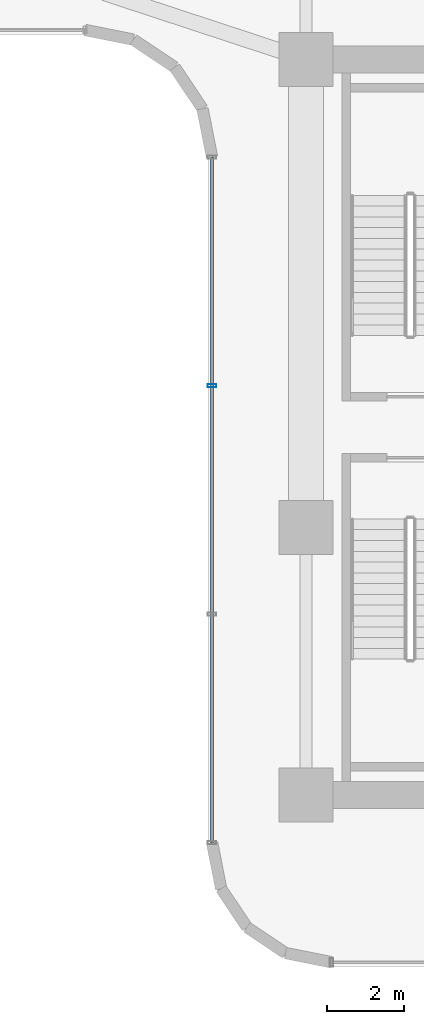
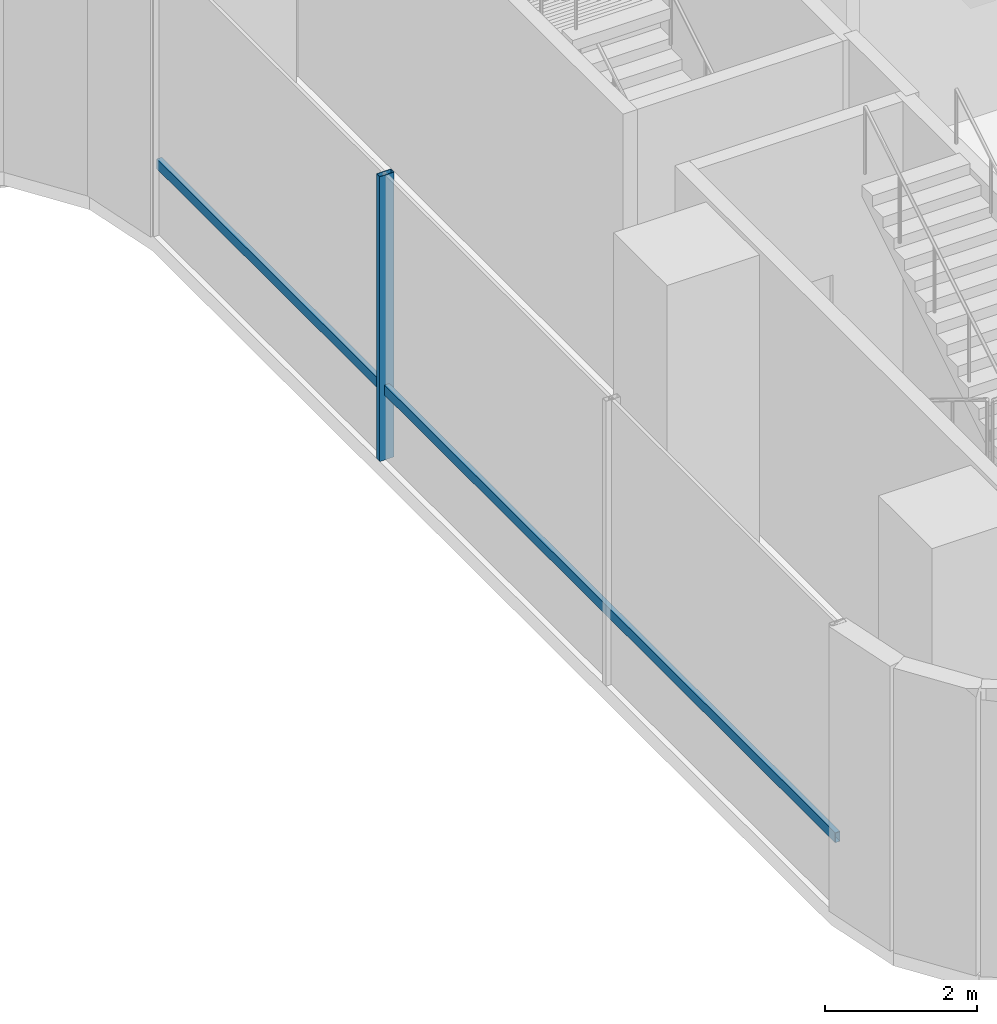
# One storey, part 16 of 39: 2 members, 1 element without a shape of its own.
"""IFC4 building model written with IfcOpenShell, lengths in metres."""

import ifcopenshell
import ifcopenshell.guid

model = None  # the IFC model being written
_history = None  # IfcOwnerHistory: only IFC2X3 demands one
_inside = {}  # id of a spatial element -> (the spatial element, [elements in it])
_under = {}  # id of a project, library or spatial element -> (it, [spatial elements below it])
_declared = {}  # id of a project -> (the project, [libraries it declares])
_typed = {}  # id of a type object -> (the type object, [elements of that type])
_made_of = {}  # id of a material, layer set ... -> (it, [elements and type objects made of it])


def new_model(schema):
    """Start an empty IFC model of exactly this schema.

    Asked for "IFC4X3", IfcOpenShell would pick the latest addendum, in which some entities
    have other attributes; the version numbers below select the first issue.
    IFC2X3 requires an IfcOwnerHistory on every rooted entity: one is made here for all.
    """
    global model, _history
    if schema == "IFC4X3":
        model = ifcopenshell.file(schema_version=(4, 3, 0, 0))
    else:
        model = ifcopenshell.file(schema=schema)
    _inside.clear()
    _under.clear()
    _declared.clear()
    _typed.clear()
    _made_of.clear()
    _history = None
    if model.schema == "IFC2X3":
        org = make("IfcOrganization", Name="unknown")
        user = make(
            "IfcPersonAndOrganization",
            ThePerson=make("IfcPerson", FamilyName="unknown"),
            TheOrganization=org,
        )
        app = make(
            "IfcApplication",
            ApplicationDeveloper=org,
            Version="unknown",
            ApplicationFullName="unknown",
            ApplicationIdentifier="unknown",
        )
        _history = make(
            "IfcOwnerHistory",
            OwningUser=user,
            OwningApplication=app,
            ChangeAction="ADDED",
            CreationDate=0,
        )
    return model


def make(cls, **values):
    """One entity of the class cls with the attributes given. An attribute that is None is left unset."""
    return model.create_entity(
        cls, **{name: value for name, value in values.items() if value is not None}
    )


def rooted(cls, **values):
    """An entity with a GlobalId (a new one), such as an element, a storey or a relation."""
    return make(cls, GlobalId=ifcopenshell.guid.new(), OwnerHistory=_history, **values)


def si_unit(unit_type, name, prefix=None):
    """IfcSIUnit, for example si_unit("LENGTHUNIT", "METRE", prefix="MILLI")."""
    return make("IfcSIUnit", UnitType=unit_type, Prefix=prefix, Name=name)


def assignment(units):
    """IfcUnitAssignment: the units of a project."""
    return None if units is None else make("IfcUnitAssignment", Units=units)


def point(xyz):
    """IfcCartesianPoint."""
    return None if xyz is None else make("IfcCartesianPoint", Coordinates=xyz)


def direction(xyz):
    """IfcDirection."""
    return None if xyz is None else make("IfcDirection", DirectionRatios=xyz)


def frame(location, z_axis=None, x_axis=None):
    """IfcAxis2Placement3D, a coordinate frame: its origin and axes. An axis left out is left unset."""
    return make(
        "IfcAxis2Placement3D",
        Location=point(location),
        Axis=direction(z_axis),
        RefDirection=direction(x_axis),
    )


def frame_2d(location, x_axis=None):
    """IfcAxis2Placement2D, a coordinate frame in the plane: its origin and x axis."""
    return make(
        "IfcAxis2Placement2D", Location=point(location), RefDirection=direction(x_axis)
    )


def origin():
    """The frame at (0, 0, 0) with its axes left unset."""
    return frame((0.0, 0.0, 0.0))


def origin_2d():
    """The frame at (0, 0) in the plane with its x axis left unset."""
    return frame_2d((0.0, 0.0))


def place(relative_to, where):
    """IfcLocalPlacement: puts the frame where relative to a parent placement (None: the world)."""
    return make(
        "IfcLocalPlacement", PlacementRelTo=relative_to, RelativePlacement=where
    )


def context(
    kind, dimensions, precision=None, world=None, true_north=None, identifier=None
):
    """IfcGeometricRepresentationContext, for example the 3D "Model" context."""
    return make(
        "IfcGeometricRepresentationContext",
        ContextIdentifier=identifier,
        ContextType=kind,
        CoordinateSpaceDimension=dimensions,
        Precision=precision,
        WorldCoordinateSystem=world,
        TrueNorth=true_north,
    )


def subcontext(parent, identifier, kind, view, scale=None):
    """IfcGeometricRepresentationSubContext, for example "Body" below "Model"."""
    return make(
        "IfcGeometricRepresentationSubContext",
        ContextIdentifier=identifier,
        ContextType=kind,
        ParentContext=parent,
        TargetScale=scale,
        TargetView=view,
    )


def project(units=None, contexts=None):
    """IfcProject with its units and contexts."""
    return rooted(
        "IfcProject",
        Name="project",
        RepresentationContexts=contexts,
        UnitsInContext=assignment(units),
    )


def spatial(cls, under=None, at=None, **own):
    """A site, building, storey or space (cls), placed at a placement, below another one or the project."""
    s = rooted(cls, ObjectPlacement=at, **own)
    if under is not None:
        _under.setdefault(under.id(), (under, []))[1].append(s)
    return s


def profile(cls, at=None, kind="AREA", **sizes):
    """A parametric profile (cls). Its sizes go by their IFC names, for example OverallWidth=200.0."""
    return make(cls, ProfileType=kind, Position=at, **sizes)


def hollow_rectangle(**sizes):
    """IfcRectangleHollowProfileDef."""
    return profile("IfcRectangleHollowProfileDef", **sizes)


def extrude(swept, where, along, depth):
    """IfcExtrudedAreaSolid: the profile swept, set in the frame where, extruded along a direction by depth."""
    return make(
        "IfcExtrudedAreaSolid",
        SweptArea=swept,
        Position=where,
        ExtrudedDirection=direction(along),
        Depth=depth,
    )


def shape(context_of_items, identifier, shape_type, items):
    """IfcShapeRepresentation: the items that make up one representation, for example the "Body"."""
    return make(
        "IfcShapeRepresentation",
        ContextOfItems=context_of_items,
        RepresentationIdentifier=identifier,
        RepresentationType=shape_type,
        Items=items,
    )


def source(mapping_origin, context_of_items, identifier, shape_type, items):
    """IfcRepresentationMap: a shape defined once, which mapped items show again and again."""
    return make(
        "IfcRepresentationMap",
        MappingOrigin=mapping_origin,
        MappedRepresentation=shape(context_of_items, identifier, shape_type, items),
    )


def transform(
    local_origin,
    x_axis=None,
    y_axis=None,
    z_axis=None,
    scale=None,
    scale2=None,
    scale3=None,
    uniform=True,
):
    """IfcCartesianTransformationOperator3D, or its non-uniform kind. x_axis, y_axis, z_axis: its Axis1, 2, 3."""
    if uniform:
        return make(
            "IfcCartesianTransformationOperator3D",
            Axis1=direction(x_axis),
            Axis2=direction(y_axis),
            LocalOrigin=point(local_origin),
            Scale=scale,
            Axis3=direction(z_axis),
        )
    return make(
        "IfcCartesianTransformationOperator3DnonUniform",
        Axis1=direction(x_axis),
        Axis2=direction(y_axis),
        LocalOrigin=point(local_origin),
        Scale=scale,
        Axis3=direction(z_axis),
        Scale2=scale2,
        Scale3=scale3,
    )


def mapped(mapping_source, mapping_target):
    """IfcMappedItem: shows the shape of a source again, moved by a transform."""
    return make(
        "IfcMappedItem", MappingSource=mapping_source, MappingTarget=mapping_target
    )


def material(Name=None, Category=None):
    """IfcMaterial."""
    return make("IfcMaterial", Name=Name, Category=Category)


def material_profile(
    of_material, cross_section, Name=None, Category=None, Priority=None
):
    """IfcMaterialProfile: a cross section and its material."""
    return make(
        "IfcMaterialProfile",
        Name=Name,
        Material=of_material,
        Profile=cross_section,
        Priority=Priority,
        Category=Category,
    )


def profile_set(profiles, Name=None, composite=None):
    """IfcMaterialProfileSet."""
    return make(
        "IfcMaterialProfileSet",
        Name=Name,
        MaterialProfiles=profiles,
        CompositeProfile=composite,
    )


def made_of(thing, what):
    """Note that an element or type object is made of a material, layer set ...; save() writes the relation."""
    if what is not None:
        _made_of.setdefault(what.id(), (what, []))[1].append(thing)
    return thing


def type_object(cls, material=None, **own):
    """A type object (cls), such as IfcWallType, which elements share."""
    return made_of(rooted(cls, **own), material)


def element(
    cls,
    number,
    at=None,
    inside=None,
    cuts=None,
    type_object=None,
    material=None,
    context=None,
    identifier="Body",
    shape_type=None,
    held_by="IfcProductDefinitionShape",
    body=None,
    shapes=None,
    **own,
):
    """One element of the class cls, such as IfcWall. Its Tag is "e" and its number.

    at: its placement. inside: the storey or other place that contains it. cuts: it is an
    opening in that element (IfcRelVoidsElement). A single representation is given by context,
    identifier, shape_type and body (its items); several are given by shapes. held_by: the class
    of the entity that holds the representations. save() writes the other relations.
    """
    e = rooted(cls, Tag="e%d" % number, ObjectPlacement=at, **own)
    if body is not None:
        shapes = [shape(context, identifier, shape_type, body)]
    if shapes is not None:
        e.Representation = make(held_by, Representations=shapes)
    if inside is not None:
        _inside.setdefault(inside.id(), (inside, []))[1].append(e)
    if cuts is not None:
        rooted(
            "IfcRelVoidsElement", RelatingBuildingElement=cuts, RelatedOpeningElement=e
        )
    if type_object is not None:
        _typed.setdefault(type_object.id(), (type_object, []))[1].append(e)
    return made_of(e, material)


def aggregate(whole, parts):
    """IfcRelAggregates: a whole, such as a stair, and the parts it consists of."""
    return rooted("IfcRelAggregates", RelatingObject=whole, RelatedObjects=parts)


def save(model, path):
    """Write the relations noted so far, then the file.

    IfcRelAggregates (storeys below a building ...), IfcRelContainedInSpatialStructure (elements
    in a storey), IfcRelDefinesByType, IfcRelAssociatesMaterial and IfcRelDeclares: one each for
    every whole, place, type object, material and project.
    """
    for whole, parts in _under.values():
        aggregate(whole, parts)
    for where, things in _inside.values():
        rooted(
            "IfcRelContainedInSpatialStructure",
            RelatedElements=things,
            RelatingStructure=where,
        )
    for kind, things in _typed.values():
        rooted("IfcRelDefinesByType", RelatedObjects=things, RelatingType=kind)
    for what, things in _made_of.values():
        rooted("IfcRelAssociatesMaterial", RelatedObjects=things, RelatingMaterial=what)
    for by, libraries in _declared.values():
        rooted("IfcRelDeclares", RelatingContext=by, RelatedDefinitions=libraries)
    model.write(path)


model = new_model("IFC4")

# Units and contexts
model_context = context("Model", 3, precision=1e-05, world=origin(), true_north=direction((0.0, 1.0)))
body_context = subcontext(model_context, "Body", "Model", "MODEL_VIEW")
ifc_project = project(units=[si_unit("LENGTHUNIT", "METRE"), si_unit("AREAUNIT", "SQUARE_METRE"), si_unit("VOLUMEUNIT", "CUBIC_METRE"), si_unit("PLANEANGLEUNIT", "RADIAN"), si_unit("MASSUNIT", "GRAM", prefix="KILO")], contexts=[model_context])

# Site, building, storey
site_placement = place(None, origin())
site = spatial("IfcSite", under=ifc_project, at=site_placement, CompositionType="ELEMENT")
building_placement = place(site_placement, origin())
building = spatial("IfcBuilding", under=site, at=building_placement, Name="Valdorenza Pilgrim Sanctuary Tower", CompositionType="ELEMENT")
storey_placement = place(building_placement, frame((0.0, 0.0, 96.300048828125)))
storey = spatial("IfcBuildingStorey", under=building, at=storey_placement, Name="L24", CompositionType="ELEMENT", Elevation=96.300048828125)

# Curtain wall, members
ifc_material_1 = material(Name="Curtain-wall IGU glazing", Category="glass")
curtain_wall_type = type_object("IfcCurtainWallType", Name="CW-SYS-03", PredefinedType="NOTDEFINED", material=ifc_material_1)
curtain_wall_placement = place(storey_placement, origin())
curtain_wall = element("IfcCurtainWall", 1, at=curtain_wall_placement, inside=storey, type_object=curtain_wall_type, Name="L24 Curtain Wall CW-L24-1-31", PredefinedType="NOTDEFINED")
ifc_material_2 = material(Name="Anodised aluminium AW-6060", Category="aluminium")
ifc_material_profile_1 = material_profile(ifc_material_2, hollow_rectangle(XDim=0.074951171875, YDim=0.159912109375, WallThickness=0.00390625, at=origin_2d()), Name="ALU-T 160x75x4")
ifc_profile_set_1 = profile_set([ifc_material_profile_1], Name="Anodised aluminium AW-6060")
member_type_1 = type_object("IfcMemberType", Name="CW-TRN-03", PredefinedType="USERDEFINED", material=ifc_profile_set_1)
shared_shape_1 = source(origin(), body_context, "Body", "SweptSolid", [
    extrude(hollow_rectangle(XDim=0.074951171875, YDim=0.159912109375, WallThickness=0.00390625, at=origin_2d()), origin(), (0.0, 0.0, 1.0), 17.800048828125),
])
member_1_placement = place(storey_placement, frame((13.409912109375, -10.789306640625, 1.119873046875), z_axis=(0.0, 1.0, 0.0), x_axis=(-1.0, 0.0, 0.0)))
member_1 = element("IfcMember", 2, at=member_1_placement, type_object=member_type_1, Name="CW-L24-1-31 Transom 1", ObjectType="TRANSOM", PredefinedType="USERDEFINED", context=body_context, shape_type="MappedRepresentation", body=[
    mapped(shared_shape_1, transform((0.0, 0.0, 0.0), x_axis=(1.0, 0.0, 0.0), y_axis=(0.0, 1.0, 0.0), z_axis=(0.0, 0.0, 1.0), scale=1.0)),
])
ifc_material_profile_2 = material_profile(ifc_material_2, hollow_rectangle(XDim=0.0849609375, YDim=0.219970703125, WallThickness=0.0048828125, at=origin_2d()), Name="ALU-M 220x85x5")
ifc_profile_set_2 = profile_set([ifc_material_profile_2], Name="Anodised aluminium AW-6060")
member_type_2 = type_object("IfcMemberType", Name="CW-MUL-03", PredefinedType="MULLION", material=ifc_profile_set_2)
shared_shape_2 = source(origin(), body_context, "Body", "SweptSolid", [
    extrude(hollow_rectangle(XDim=0.0849609375, YDim=0.219970703125, WallThickness=0.0048828125, at=origin_2d()), origin(), (0.0, 0.0, 1.0), 4.56005859375),
])
member_2_placement = place(storey_placement, frame((13.409912109375, 1.077392578125, 0.0), z_axis=(0.0, 0.0, 1.0), x_axis=(0.0, 1.0, 0.0)))
member_2 = element("IfcMember", 3, at=member_2_placement, type_object=member_type_2, Name="CW-L24-1-31 Mullion 3", PredefinedType="MULLION", context=body_context, shape_type="MappedRepresentation", body=[
    mapped(shared_shape_2, transform((0.0, 0.0, 0.0), x_axis=(1.0, 0.0, 0.0), y_axis=(0.0, 1.0, 0.0), z_axis=(0.0, 0.0, 1.0), scale=1.0)),
])
aggregate(curtain_wall, [member_2, member_1])

save(model, "model.ifc")
